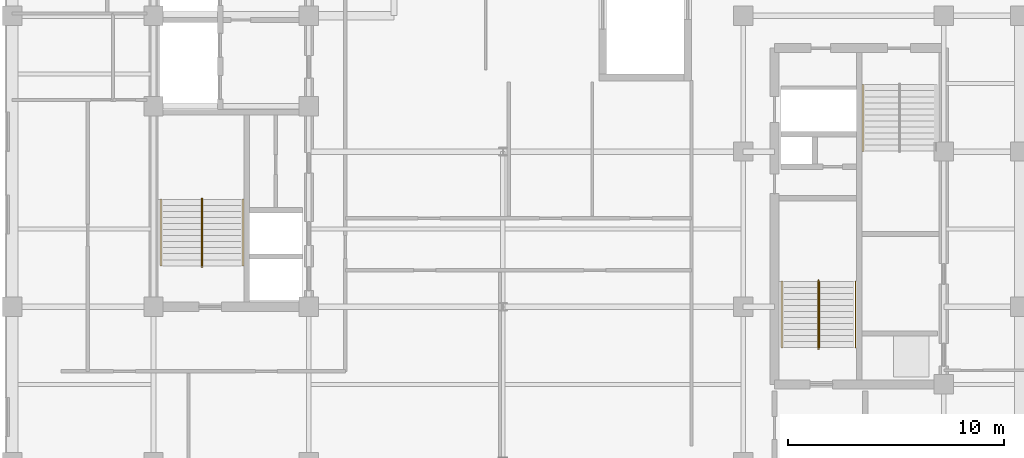
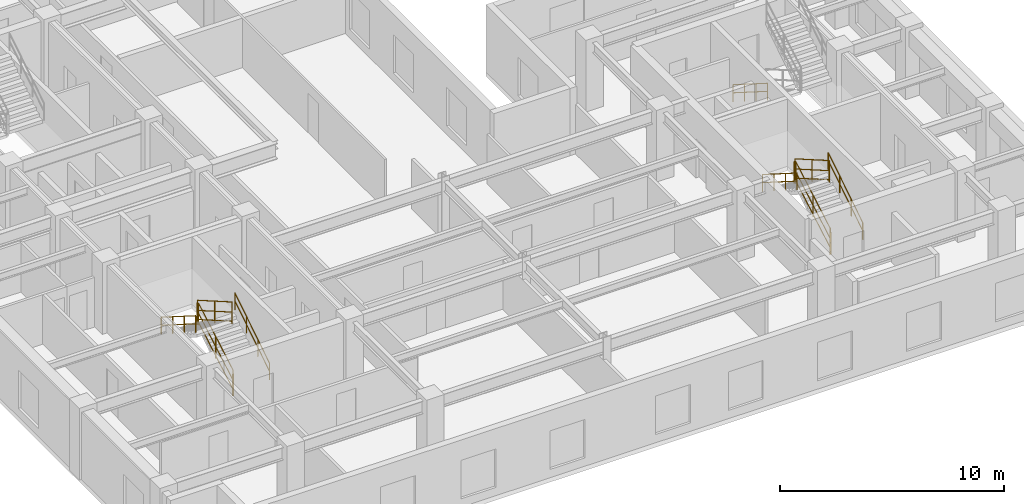
# One storey, part 8 of 11: 13 railings.
"""IFC4 building model written with IfcOpenShell, lengths in metres."""

import ifcopenshell
import ifcopenshell.guid

model = None  # the IFC model being written
_history = None  # IfcOwnerHistory: only IFC2X3 demands one
_inside = {}  # id of a spatial element -> (the spatial element, [elements in it])
_under = {}  # id of a project, library or spatial element -> (it, [spatial elements below it])
_declared = {}  # id of a project -> (the project, [libraries it declares])
_typed = {}  # id of a type object -> (the type object, [elements of that type])
_made_of = {}  # id of a material, layer set ... -> (it, [elements and type objects made of it])


def new_model(schema):
    """Start an empty IFC model of exactly this schema.

    Asked for "IFC4X3", IfcOpenShell would pick the latest addendum, in which some entities
    have other attributes; the version numbers below select the first issue.
    IFC2X3 requires an IfcOwnerHistory on every rooted entity: one is made here for all.
    """
    global model, _history
    if schema == "IFC4X3":
        model = ifcopenshell.file(schema_version=(4, 3, 0, 0))
    else:
        model = ifcopenshell.file(schema=schema)
    _inside.clear()
    _under.clear()
    _declared.clear()
    _typed.clear()
    _made_of.clear()
    _history = None
    if model.schema == "IFC2X3":
        org = make("IfcOrganization", Name="unknown")
        user = make(
            "IfcPersonAndOrganization",
            ThePerson=make("IfcPerson", FamilyName="unknown"),
            TheOrganization=org,
        )
        app = make(
            "IfcApplication",
            ApplicationDeveloper=org,
            Version="unknown",
            ApplicationFullName="unknown",
            ApplicationIdentifier="unknown",
        )
        _history = make(
            "IfcOwnerHistory",
            OwningUser=user,
            OwningApplication=app,
            ChangeAction="ADDED",
            CreationDate=0,
        )
    return model


def make(cls, **values):
    """One entity of the class cls with the attributes given. An attribute that is None is left unset."""
    return model.create_entity(
        cls, **{name: value for name, value in values.items() if value is not None}
    )


def entity(cls, *values):
    """Any entity or typed value of the class cls, its attributes in the order of the schema. None: left unset."""
    e = model.create_entity(cls)
    for i, value in enumerate(values):
        if value is not None:
            e[i] = value
    return e


def rooted(cls, **values):
    """An entity with a GlobalId (a new one), such as an element, a storey or a relation."""
    return make(cls, GlobalId=ifcopenshell.guid.new(), OwnerHistory=_history, **values)


def si_unit(unit_type, name, prefix=None):
    """IfcSIUnit, for example si_unit("LENGTHUNIT", "METRE", prefix="MILLI")."""
    return make("IfcSIUnit", UnitType=unit_type, Prefix=prefix, Name=name)


def converted_unit(unit_type, name, factor, base, dimensions=None, offset=None):
    """IfcConversionBasedUnit, such as the inch: factor (a typed value) times the base unit."""
    return make(
        "IfcConversionBasedUnit"
        if offset is None
        else "IfcConversionBasedUnitWithOffset",
        ConversionOffset=offset,
        Dimensions=None
        if dimensions is None
        else entity("IfcDimensionalExponents", *dimensions),
        UnitType=unit_type,
        Name=name,
        ConversionFactor=make(
            "IfcMeasureWithUnit", ValueComponent=factor, UnitComponent=base
        ),
    )


def assignment(units):
    """IfcUnitAssignment: the units of a project."""
    return None if units is None else make("IfcUnitAssignment", Units=units)


def point(xyz):
    """IfcCartesianPoint."""
    return None if xyz is None else make("IfcCartesianPoint", Coordinates=xyz)


def direction(xyz):
    """IfcDirection."""
    return None if xyz is None else make("IfcDirection", DirectionRatios=xyz)


def frame(location, z_axis=None, x_axis=None):
    """IfcAxis2Placement3D, a coordinate frame: its origin and axes. An axis left out is left unset."""
    return make(
        "IfcAxis2Placement3D",
        Location=point(location),
        Axis=direction(z_axis),
        RefDirection=direction(x_axis),
    )


def frame_2d(location, x_axis=None):
    """IfcAxis2Placement2D, a coordinate frame in the plane: its origin and x axis."""
    return make(
        "IfcAxis2Placement2D", Location=point(location), RefDirection=direction(x_axis)
    )


def origin_with_axes():
    """The frame at (0, 0, 0) with the z axis (0, 0, 1) and the x axis (1, 0, 0) written out."""
    return frame((0.0, 0.0, 0.0), z_axis=(0.0, 0.0, 1.0), x_axis=(1.0, 0.0, 0.0))


def origin_2d_with_axis():
    """The frame at (0, 0) in the plane with the x axis (1, 0) written out."""
    return frame_2d((0.0, 0.0), x_axis=(1.0, 0.0))


def place(relative_to, where):
    """IfcLocalPlacement: puts the frame where relative to a parent placement (None: the world)."""
    return make(
        "IfcLocalPlacement", PlacementRelTo=relative_to, RelativePlacement=where
    )


def context(
    kind, dimensions, precision=None, world=None, true_north=None, identifier=None
):
    """IfcGeometricRepresentationContext, for example the 3D "Model" context."""
    return make(
        "IfcGeometricRepresentationContext",
        ContextIdentifier=identifier,
        ContextType=kind,
        CoordinateSpaceDimension=dimensions,
        Precision=precision,
        WorldCoordinateSystem=world,
        TrueNorth=true_north,
    )


def subcontext(parent, identifier, kind, view, scale=None):
    """IfcGeometricRepresentationSubContext, for example "Body" below "Model"."""
    return make(
        "IfcGeometricRepresentationSubContext",
        ContextIdentifier=identifier,
        ContextType=kind,
        ParentContext=parent,
        TargetScale=scale,
        TargetView=view,
    )


def project(units=None, contexts=None):
    """IfcProject with its units and contexts."""
    return rooted(
        "IfcProject",
        Name="project",
        RepresentationContexts=contexts,
        UnitsInContext=assignment(units),
    )


def spatial(cls, under=None, at=None, **own):
    """A site, building, storey or space (cls), placed at a placement, below another one or the project."""
    s = rooted(cls, ObjectPlacement=at, **own)
    if under is not None:
        _under.setdefault(under.id(), (under, []))[1].append(s)
    return s


def profile(cls, at=None, kind="AREA", **sizes):
    """A parametric profile (cls). Its sizes go by their IFC names, for example OverallWidth=200.0."""
    return make(cls, ProfileType=kind, Position=at, **sizes)


def rectangle(**sizes):
    """IfcRectangleProfileDef."""
    return profile("IfcRectangleProfileDef", **sizes)


def circle(**sizes):
    """IfcCircleProfileDef."""
    return profile("IfcCircleProfileDef", **sizes)


def extrude(swept, where, along, depth):
    """IfcExtrudedAreaSolid: the profile swept, set in the frame where, extruded along a direction by depth."""
    return make(
        "IfcExtrudedAreaSolid",
        SweptArea=swept,
        Position=where,
        ExtrudedDirection=direction(along),
        Depth=depth,
    )


def shape(context_of_items, identifier, shape_type, items):
    """IfcShapeRepresentation: the items that make up one representation, for example the "Body"."""
    return make(
        "IfcShapeRepresentation",
        ContextOfItems=context_of_items,
        RepresentationIdentifier=identifier,
        RepresentationType=shape_type,
        Items=items,
    )


def material(Name=None, Category=None):
    """IfcMaterial."""
    return make("IfcMaterial", Name=Name, Category=Category)


def made_of(thing, what):
    """Note that an element or type object is made of a material, layer set ...; save() writes the relation."""
    if what is not None:
        _made_of.setdefault(what.id(), (what, []))[1].append(thing)
    return thing


def type_object(cls, material=None, **own):
    """A type object (cls), such as IfcWallType, which elements share."""
    return made_of(rooted(cls, **own), material)


def element(
    cls,
    number,
    at=None,
    inside=None,
    cuts=None,
    type_object=None,
    material=None,
    context=None,
    identifier="Body",
    shape_type=None,
    held_by="IfcProductDefinitionShape",
    body=None,
    shapes=None,
    **own,
):
    """One element of the class cls, such as IfcWall. Its Tag is "e" and its number.

    at: its placement. inside: the storey or other place that contains it. cuts: it is an
    opening in that element (IfcRelVoidsElement). A single representation is given by context,
    identifier, shape_type and body (its items); several are given by shapes. held_by: the class
    of the entity that holds the representations. save() writes the other relations.
    """
    e = rooted(cls, Tag="e%d" % number, ObjectPlacement=at, **own)
    if body is not None:
        shapes = [shape(context, identifier, shape_type, body)]
    if shapes is not None:
        e.Representation = make(held_by, Representations=shapes)
    if inside is not None:
        _inside.setdefault(inside.id(), (inside, []))[1].append(e)
    if cuts is not None:
        rooted(
            "IfcRelVoidsElement", RelatingBuildingElement=cuts, RelatedOpeningElement=e
        )
    if type_object is not None:
        _typed.setdefault(type_object.id(), (type_object, []))[1].append(e)
    return made_of(e, material)


def aggregate(whole, parts):
    """IfcRelAggregates: a whole, such as a stair, and the parts it consists of."""
    return rooted("IfcRelAggregates", RelatingObject=whole, RelatedObjects=parts)


def save(model, path):
    """Write the relations noted so far, then the file.

    IfcRelAggregates (storeys below a building ...), IfcRelContainedInSpatialStructure (elements
    in a storey), IfcRelDefinesByType, IfcRelAssociatesMaterial and IfcRelDeclares: one each for
    every whole, place, type object, material and project.
    """
    for whole, parts in _under.values():
        aggregate(whole, parts)
    for where, things in _inside.values():
        rooted(
            "IfcRelContainedInSpatialStructure",
            RelatedElements=things,
            RelatingStructure=where,
        )
    for kind, things in _typed.values():
        rooted("IfcRelDefinesByType", RelatedObjects=things, RelatingType=kind)
    for what, things in _made_of.values():
        rooted("IfcRelAssociatesMaterial", RelatedObjects=things, RelatingMaterial=what)
    for by, libraries in _declared.values():
        rooted("IfcRelDeclares", RelatingContext=by, RelatedDefinitions=libraries)
    model.write(path)


model = new_model("IFC4")

# Units and contexts
model_context = context("Model", 3, precision=1e-05, world=origin_with_axes(), true_north=direction((0.0, 1.0)))
body_context = subcontext(model_context, "Body", "Model", "MODEL_VIEW")
ifc_project = project(units=[si_unit("LENGTHUNIT", "METRE"), si_unit("AREAUNIT", "SQUARE_METRE"), si_unit("VOLUMEUNIT", "CUBIC_METRE"), converted_unit("PLANEANGLEUNIT", "DEGREE", entity("IfcPlaneAngleMeasure", 0.017453292519943295), si_unit("PLANEANGLEUNIT", "RADIAN"), dimensions=[0, 0, 0, 0, 0, 0, 0]), si_unit("MASSUNIT", "GRAM", prefix="KILO"), si_unit("THERMODYNAMICTEMPERATUREUNIT", "KELVIN")], contexts=[model_context])

# Site, building, storey
site_placement = place(None, origin_with_axes())
site = spatial("IfcSite", under=ifc_project, at=site_placement, CompositionType="ELEMENT")
building_placement = place(site_placement, origin_with_axes())
building = spatial("IfcBuilding", under=site, at=building_placement, Name="Varnlund Millrace Tower", CompositionType="ELEMENT")
storey_placement = place(building_placement, frame((0.0, 0.0, 224.7), z_axis=(0.0, 0.0, 1.0), x_axis=(1.0, 0.0, 0.0)))
storey = spatial("IfcBuildingStorey", under=building, at=storey_placement, Name="L55", CompositionType="ELEMENT", Elevation=224.7)

# Railings
ifc_material_1 = material(Name="Painted steel stair well balustrade guard", Category="steel")
railing_type_1 = type_object("IfcRailingType", Name="Type-StairGuard-1150", PredefinedType="GUARDRAIL", material=ifc_material_1)
railing_1_placement = place(storey_placement, frame((0.0, 0.0, -224.7), z_axis=(0.0, 0.0, 1.0), x_axis=(1.0, 0.0, 0.0)))
element("IfcRailing", 1, at=railing_1_placement, inside=storey, type_object=railing_type_1, Name="Type-StairGuard-1150", PredefinedType="GUARDRAIL", context=body_context, shape_type="SweptSolid", body=[
    extrude(circle(Radius=0.024, at=origin_2d_with_axis()), frame((13.675, 12.7, 226.027273), z_axis=(0.0, 0.866696, 0.498836), x_axis=(-1.0, 0.0, 0.0)), (0.0, 0.0, 1.0), 3.553725),
    extrude(circle(Radius=0.024, at=origin_2d_with_axis()), frame((13.675, 12.7, 224.977273), z_axis=(0.0, 0.866696, 0.498836), x_axis=(-1.0, 0.0, 0.0)), (0.0, 0.0, 1.0), 3.553725),
    extrude(circle(Radius=0.024, at=origin_2d_with_axis()), frame((13.675, 12.7, 225.475273), z_axis=(0.0, 0.866696, 0.498836), x_axis=(-1.0, 0.0, 0.0)), (0.0, 0.0, 1.0), 3.553725),
    extrude(rectangle(XDim=0.04, YDim=0.04, at=origin_2d_with_axis()), frame((13.675, 12.7, 224.837273), z_axis=(0.0, 0.0, 1.0), x_axis=(1.0, 0.0, 0.0)), (0.0, 0.0, 1.0), 1.19),
    extrude(rectangle(XDim=0.04, YDim=0.04, at=origin_2d_with_axis()), frame((13.675, 14.24, 225.723637), z_axis=(0.0, 0.0, 1.0), x_axis=(1.0, 0.0, 0.0)), (0.0, 0.0, 1.0), 1.19),
    extrude(rectangle(XDim=0.04, YDim=0.04, at=origin_2d_with_axis()), frame((13.675, 15.78, 226.61), z_axis=(0.0, 0.0, 1.0), x_axis=(1.0, 0.0, 0.0)), (0.0, 0.0, 1.0), 1.19),
])
railing_2_placement = place(storey_placement, frame((0.0, 0.0, -224.7), z_axis=(0.0, 0.0, 1.0), x_axis=(1.0, 0.0, 0.0)))
element("IfcRailing", 2, at=railing_2_placement, inside=storey, type_object=railing_type_1, Name="Type-StairGuard-1150", PredefinedType="GUARDRAIL", context=body_context, shape_type="SweptSolid", body=[
    extrude(circle(Radius=0.024, at=origin_2d_with_axis()), frame((13.625, 15.83, 227.8), z_axis=(1.0, 0.0, 0.0), x_axis=(0.0, 1.0, 0.0)), (0.0, 0.0, 1.0), 0.05),
    extrude(circle(Radius=0.024, at=origin_2d_with_axis()), frame((13.625, 15.83, 226.75), z_axis=(1.0, 0.0, 0.0), x_axis=(0.0, 1.0, 0.0)), (0.0, 0.0, 1.0), 0.05),
    extrude(circle(Radius=0.024, at=origin_2d_with_axis()), frame((13.625, 15.83, 227.248), z_axis=(1.0, 0.0, 0.0), x_axis=(0.0, 1.0, 0.0)), (0.0, 0.0, 1.0), 0.05),
    extrude(rectangle(XDim=0.04, YDim=0.04, at=origin_2d_with_axis()), frame((13.625, 15.83, 226.61), z_axis=(0.0, 0.0, 1.0), x_axis=(1.0, 0.0, 0.0)), (0.0, 0.0, 1.0), 1.19),
    extrude(rectangle(XDim=0.04, YDim=0.04, at=origin_2d_with_axis()), frame((13.675, 15.83, 226.61), z_axis=(0.0, 0.0, 1.0), x_axis=(1.0, 0.0, 0.0)), (0.0, 0.0, 1.0), 1.19),
])
railing_3_placement = place(storey_placement, frame((0.0, 0.0, -224.7), z_axis=(0.0, 0.0, 1.0), x_axis=(1.0, 0.0, 0.0)))
element("IfcRailing", 3, at=railing_3_placement, inside=storey, type_object=railing_type_1, Name="Type-StairGuard-1150", PredefinedType="GUARDRAIL", context=body_context, shape_type="SweptSolid", body=[
    extrude(circle(Radius=0.024, at=origin_2d_with_axis()), frame((13.625, 15.78, 227.977273), z_axis=(0.0, -0.866696, 0.498836), x_axis=(1.0, 0.0, 0.0)), (0.0, 0.0, 1.0), 3.553725),
    extrude(circle(Radius=0.024, at=origin_2d_with_axis()), frame((13.625, 15.78, 226.927273), z_axis=(0.0, -0.866696, 0.498836), x_axis=(1.0, 0.0, 0.0)), (0.0, 0.0, 1.0), 3.553725),
    extrude(circle(Radius=0.024, at=origin_2d_with_axis()), frame((13.625, 15.78, 227.425273), z_axis=(0.0, -0.866696, 0.498836), x_axis=(1.0, 0.0, 0.0)), (0.0, 0.0, 1.0), 3.553725),
    extrude(rectangle(XDim=0.04, YDim=0.04, at=origin_2d_with_axis()), frame((13.625, 15.78, 226.787273), z_axis=(0.0, 0.0, 1.0), x_axis=(1.0, 0.0, 0.0)), (0.0, 0.0, 1.0), 1.19),
    extrude(rectangle(XDim=0.04, YDim=0.04, at=origin_2d_with_axis()), frame((13.625, 14.24, 227.673637), z_axis=(0.0, 0.0, 1.0), x_axis=(1.0, 0.0, 0.0)), (0.0, 0.0, 1.0), 1.19),
    extrude(rectangle(XDim=0.04, YDim=0.04, at=origin_2d_with_axis()), frame((13.625, 12.7, 228.56), z_axis=(0.0, 0.0, 1.0), x_axis=(1.0, 0.0, 0.0)), (0.0, 0.0, 1.0), 1.19),
])
railing_4_placement = place(storey_placement, frame((0.0, 0.0, -224.7), z_axis=(0.0, 0.0, 1.0), x_axis=(1.0, 0.0, 0.0)))
element("IfcRailing", 4, at=railing_4_placement, inside=storey, type_object=railing_type_1, Name="Type-StairGuard-1150", PredefinedType="GUARDRAIL", context=body_context, shape_type="SweptSolid", body=[
    extrude(circle(Radius=0.024, at=origin_2d_with_axis()), frame((13.625, 12.65, 225.85), z_axis=(1.0, 0.0, 0.0), x_axis=(0.0, 1.0, 0.0)), (0.0, 0.0, 1.0), 0.05),
    extrude(circle(Radius=0.024, at=origin_2d_with_axis()), frame((13.625, 12.65, 224.8), z_axis=(1.0, 0.0, 0.0), x_axis=(0.0, 1.0, 0.0)), (0.0, 0.0, 1.0), 0.05),
    extrude(circle(Radius=0.024, at=origin_2d_with_axis()), frame((13.625, 12.65, 225.298), z_axis=(1.0, 0.0, 0.0), x_axis=(0.0, 1.0, 0.0)), (0.0, 0.0, 1.0), 0.05),
    extrude(rectangle(XDim=0.04, YDim=0.04, at=origin_2d_with_axis()), frame((13.625, 12.65, 224.66), z_axis=(0.0, 0.0, 1.0), x_axis=(1.0, 0.0, 0.0)), (0.0, 0.0, 1.0), 1.19),
    extrude(rectangle(XDim=0.04, YDim=0.04, at=origin_2d_with_axis()), frame((13.675, 12.65, 224.66), z_axis=(0.0, 0.0, 1.0), x_axis=(1.0, 0.0, 0.0)), (0.0, 0.0, 1.0), 1.19),
])
railing_5_placement = place(storey_placement, frame((0.0, 0.0, -224.7), z_axis=(0.0, 0.0, 1.0), x_axis=(1.0, 0.0, 0.0)))
element("IfcRailing", 5, at=railing_5_placement, inside=storey, type_object=railing_type_1, Name="Type-StairGuard-1150", PredefinedType="GUARDRAIL", context=body_context, shape_type="SweptSolid", body=[
    extrude(circle(Radius=0.024, at=origin_2d_with_axis()), frame((42.275, 8.9, 226.027273), z_axis=(0.0, 0.866696, 0.498836), x_axis=(-1.0, 0.0, 0.0)), (0.0, 0.0, 1.0), 3.553725),
    extrude(circle(Radius=0.024, at=origin_2d_with_axis()), frame((42.275, 8.9, 224.977273), z_axis=(0.0, 0.866696, 0.498836), x_axis=(-1.0, 0.0, 0.0)), (0.0, 0.0, 1.0), 3.553725),
    extrude(circle(Radius=0.024, at=origin_2d_with_axis()), frame((42.275, 8.9, 225.475273), z_axis=(0.0, 0.866696, 0.498836), x_axis=(-1.0, 0.0, 0.0)), (0.0, 0.0, 1.0), 3.553725),
    extrude(rectangle(XDim=0.04, YDim=0.04, at=origin_2d_with_axis()), frame((42.275, 8.9, 224.837273), z_axis=(0.0, 0.0, 1.0), x_axis=(1.0, 0.0, 0.0)), (0.0, 0.0, 1.0), 1.19),
    extrude(rectangle(XDim=0.04, YDim=0.04, at=origin_2d_with_axis()), frame((42.275, 10.44, 225.723637), z_axis=(0.0, 0.0, 1.0), x_axis=(1.0, 0.0, 0.0)), (0.0, 0.0, 1.0), 1.19),
    extrude(rectangle(XDim=0.04, YDim=0.04, at=origin_2d_with_axis()), frame((42.275, 11.98, 226.61), z_axis=(0.0, 0.0, 1.0), x_axis=(1.0, 0.0, 0.0)), (0.0, 0.0, 1.0), 1.19),
])
railing_6_placement = place(storey_placement, frame((0.0, 0.0, -224.7), z_axis=(0.0, 0.0, 1.0), x_axis=(1.0, 0.0, 0.0)))
element("IfcRailing", 6, at=railing_6_placement, inside=storey, type_object=railing_type_1, Name="Type-StairGuard-1150", PredefinedType="GUARDRAIL", context=body_context, shape_type="SweptSolid", body=[
    extrude(circle(Radius=0.024, at=origin_2d_with_axis()), frame((42.225, 12.03, 227.8), z_axis=(1.0, 0.0, 0.0), x_axis=(0.0, 1.0, 0.0)), (0.0, 0.0, 1.0), 0.05),
    extrude(circle(Radius=0.024, at=origin_2d_with_axis()), frame((42.225, 12.03, 226.75), z_axis=(1.0, 0.0, 0.0), x_axis=(0.0, 1.0, 0.0)), (0.0, 0.0, 1.0), 0.05),
    extrude(circle(Radius=0.024, at=origin_2d_with_axis()), frame((42.225, 12.03, 227.248), z_axis=(1.0, 0.0, 0.0), x_axis=(0.0, 1.0, 0.0)), (0.0, 0.0, 1.0), 0.05),
    extrude(rectangle(XDim=0.04, YDim=0.04, at=origin_2d_with_axis()), frame((42.225, 12.03, 226.61), z_axis=(0.0, 0.0, 1.0), x_axis=(1.0, 0.0, 0.0)), (0.0, 0.0, 1.0), 1.19),
    extrude(rectangle(XDim=0.04, YDim=0.04, at=origin_2d_with_axis()), frame((42.275, 12.03, 226.61), z_axis=(0.0, 0.0, 1.0), x_axis=(1.0, 0.0, 0.0)), (0.0, 0.0, 1.0), 1.19),
])
railing_7_placement = place(storey_placement, frame((0.0, 0.0, -224.7), z_axis=(0.0, 0.0, 1.0), x_axis=(1.0, 0.0, 0.0)))
element("IfcRailing", 7, at=railing_7_placement, inside=storey, type_object=railing_type_1, Name="Type-StairGuard-1150", PredefinedType="GUARDRAIL", context=body_context, shape_type="SweptSolid", body=[
    extrude(circle(Radius=0.024, at=origin_2d_with_axis()), frame((42.225, 11.98, 227.977273), z_axis=(0.0, -0.866696, 0.498836), x_axis=(1.0, 0.0, 0.0)), (0.0, 0.0, 1.0), 3.553725),
    extrude(circle(Radius=0.024, at=origin_2d_with_axis()), frame((42.225, 11.98, 226.927273), z_axis=(0.0, -0.866696, 0.498836), x_axis=(1.0, 0.0, 0.0)), (0.0, 0.0, 1.0), 3.553725),
    extrude(circle(Radius=0.024, at=origin_2d_with_axis()), frame((42.225, 11.98, 227.425273), z_axis=(0.0, -0.866696, 0.498836), x_axis=(1.0, 0.0, 0.0)), (0.0, 0.0, 1.0), 3.553725),
    extrude(rectangle(XDim=0.04, YDim=0.04, at=origin_2d_with_axis()), frame((42.225, 11.98, 226.787273), z_axis=(0.0, 0.0, 1.0), x_axis=(1.0, 0.0, 0.0)), (0.0, 0.0, 1.0), 1.19),
    extrude(rectangle(XDim=0.04, YDim=0.04, at=origin_2d_with_axis()), frame((42.225, 10.44, 227.673637), z_axis=(0.0, 0.0, 1.0), x_axis=(1.0, 0.0, 0.0)), (0.0, 0.0, 1.0), 1.19),
    extrude(rectangle(XDim=0.04, YDim=0.04, at=origin_2d_with_axis()), frame((42.225, 8.9, 228.56), z_axis=(0.0, 0.0, 1.0), x_axis=(1.0, 0.0, 0.0)), (0.0, 0.0, 1.0), 1.19),
])
railing_8_placement = place(storey_placement, frame((0.0, 0.0, -224.7), z_axis=(0.0, 0.0, 1.0), x_axis=(1.0, 0.0, 0.0)))
element("IfcRailing", 8, at=railing_8_placement, inside=storey, type_object=railing_type_1, Name="Type-StairGuard-1150", PredefinedType="GUARDRAIL", context=body_context, shape_type="SweptSolid", body=[
    extrude(circle(Radius=0.024, at=origin_2d_with_axis()), frame((42.225, 8.85, 225.85), z_axis=(1.0, 0.0, 0.0), x_axis=(0.0, 1.0, 0.0)), (0.0, 0.0, 1.0), 0.05),
    extrude(circle(Radius=0.024, at=origin_2d_with_axis()), frame((42.225, 8.85, 224.8), z_axis=(1.0, 0.0, 0.0), x_axis=(0.0, 1.0, 0.0)), (0.0, 0.0, 1.0), 0.05),
    extrude(circle(Radius=0.024, at=origin_2d_with_axis()), frame((42.225, 8.85, 225.298), z_axis=(1.0, 0.0, 0.0), x_axis=(0.0, 1.0, 0.0)), (0.0, 0.0, 1.0), 0.05),
    extrude(rectangle(XDim=0.04, YDim=0.04, at=origin_2d_with_axis()), frame((42.225, 8.85, 224.66), z_axis=(0.0, 0.0, 1.0), x_axis=(1.0, 0.0, 0.0)), (0.0, 0.0, 1.0), 1.19),
    extrude(rectangle(XDim=0.04, YDim=0.04, at=origin_2d_with_axis()), frame((42.275, 8.85, 224.66), z_axis=(0.0, 0.0, 1.0), x_axis=(1.0, 0.0, 0.0)), (0.0, 0.0, 1.0), 1.19),
])
ifc_material_2 = material(Name="Brushed architectural bronze stair handrail", Category="aluminium")
railing_type_2 = type_object("IfcRailingType", Name="Type-StairHandrail-900", PredefinedType="HANDRAIL", material=ifc_material_2)
railing_9_placement = place(storey_placement, frame((0.0, 0.0, -224.7), z_axis=(0.0, 0.0, 1.0), x_axis=(1.0, 0.0, 0.0)))
element("IfcRailing", 9, at=railing_9_placement, inside=storey, type_object=railing_type_2, Name="Type-StairHandrail-900", PredefinedType="HANDRAIL", context=body_context, shape_type="SweptSolid", body=[
    extrude(circle(Radius=0.024, at=origin_2d_with_axis()), frame((15.55, 12.7, 225.756995), z_axis=(0.0, 0.844902, 0.534922), x_axis=(-1.0, 0.0, 0.0)), (0.0, 0.0, 1.0), 3.645394),
    extrude(circle(Radius=0.024, at=origin_2d_with_axis()), frame((15.55, 12.7, 225.317134), z_axis=(0.0, 0.844902, 0.534922), x_axis=(-1.0, 0.0, 0.0)), (0.0, 0.0, 1.0), 3.645394),
    extrude(rectangle(XDim=0.04, YDim=0.04, at=origin_2d_with_axis()), frame((15.55, 12.7, 224.837273), z_axis=(0.0, 0.0, 1.0), x_axis=(1.0, 0.0, 0.0)), (0.0, 0.0, 1.0), 0.919722),
    extrude(rectangle(XDim=0.04, YDim=0.04, at=origin_2d_with_axis()), frame((15.55, 13.726667, 225.487273), z_axis=(0.0, 0.0, 1.0), x_axis=(1.0, 0.0, 0.0)), (0.0, 0.0, 1.0), 0.919722),
    extrude(rectangle(XDim=0.04, YDim=0.04, at=origin_2d_with_axis()), frame((15.55, 14.753333, 226.137273), z_axis=(0.0, 0.0, 1.0), x_axis=(1.0, 0.0, 0.0)), (0.0, 0.0, 1.0), 0.919722),
    extrude(rectangle(XDim=0.04, YDim=0.04, at=origin_2d_with_axis()), frame((15.55, 15.78, 226.787273), z_axis=(0.0, 0.0, 1.0), x_axis=(1.0, 0.0, 0.0)), (0.0, 0.0, 1.0), 0.919722),
])
railing_10_placement = place(storey_placement, frame((0.0, 0.0, -224.7), z_axis=(0.0, 0.0, 1.0), x_axis=(1.0, 0.0, 0.0)))
element("IfcRailing", 10, at=railing_10_placement, inside=storey, type_object=railing_type_2, Name="Type-StairHandrail-900", PredefinedType="HANDRAIL", context=body_context, shape_type="SweptSolid", body=[
    extrude(circle(Radius=0.024, at=origin_2d_with_axis()), frame((11.75, 15.78, 227.706995), z_axis=(0.0, -0.844902, 0.534922), x_axis=(1.0, 0.0, 0.0)), (0.0, 0.0, 1.0), 3.645394),
    extrude(circle(Radius=0.024, at=origin_2d_with_axis()), frame((11.75, 15.78, 227.267134), z_axis=(0.0, -0.844902, 0.534922), x_axis=(1.0, 0.0, 0.0)), (0.0, 0.0, 1.0), 3.645394),
    extrude(rectangle(XDim=0.04, YDim=0.04, at=origin_2d_with_axis()), frame((11.75, 15.78, 226.787273), z_axis=(0.0, 0.0, 1.0), x_axis=(1.0, 0.0, 0.0)), (0.0, 0.0, 1.0), 0.919722),
    extrude(rectangle(XDim=0.04, YDim=0.04, at=origin_2d_with_axis()), frame((11.75, 14.753333, 227.437273), z_axis=(0.0, 0.0, 1.0), x_axis=(1.0, 0.0, 0.0)), (0.0, 0.0, 1.0), 0.919722),
    extrude(rectangle(XDim=0.04, YDim=0.04, at=origin_2d_with_axis()), frame((11.75, 13.726667, 228.087273), z_axis=(0.0, 0.0, 1.0), x_axis=(1.0, 0.0, 0.0)), (0.0, 0.0, 1.0), 0.919722),
    extrude(rectangle(XDim=0.04, YDim=0.04, at=origin_2d_with_axis()), frame((11.75, 12.7, 228.737273), z_axis=(0.0, 0.0, 1.0), x_axis=(1.0, 0.0, 0.0)), (0.0, 0.0, 1.0), 0.919722),
])
railing_11_placement = place(storey_placement, frame((0.0, 0.0, -224.7), z_axis=(0.0, 0.0, 1.0), x_axis=(1.0, 0.0, 0.0)))
element("IfcRailing", 11, at=railing_11_placement, inside=storey, type_object=railing_type_2, Name="Type-StairHandrail-900", PredefinedType="HANDRAIL", context=body_context, shape_type="SweptSolid", body=[
    extrude(circle(Radius=0.024, at=origin_2d_with_axis()), frame((43.95, 8.9, 225.756995), z_axis=(0.0, 0.844902, 0.534922), x_axis=(-1.0, 0.0, 0.0)), (0.0, 0.0, 1.0), 3.645394),
    extrude(circle(Radius=0.024, at=origin_2d_with_axis()), frame((43.95, 8.9, 225.317134), z_axis=(0.0, 0.844902, 0.534922), x_axis=(-1.0, 0.0, 0.0)), (0.0, 0.0, 1.0), 3.645394),
    extrude(rectangle(XDim=0.04, YDim=0.04, at=origin_2d_with_axis()), frame((43.95, 8.9, 224.837273), z_axis=(0.0, 0.0, 1.0), x_axis=(1.0, 0.0, 0.0)), (0.0, 0.0, 1.0), 0.919722),
    extrude(rectangle(XDim=0.04, YDim=0.04, at=origin_2d_with_axis()), frame((43.95, 9.926667, 225.487273), z_axis=(0.0, 0.0, 1.0), x_axis=(1.0, 0.0, 0.0)), (0.0, 0.0, 1.0), 0.919722),
    extrude(rectangle(XDim=0.04, YDim=0.04, at=origin_2d_with_axis()), frame((43.95, 10.953333, 226.137273), z_axis=(0.0, 0.0, 1.0), x_axis=(1.0, 0.0, 0.0)), (0.0, 0.0, 1.0), 0.919722),
    extrude(rectangle(XDim=0.04, YDim=0.04, at=origin_2d_with_axis()), frame((43.95, 11.98, 226.787273), z_axis=(0.0, 0.0, 1.0), x_axis=(1.0, 0.0, 0.0)), (0.0, 0.0, 1.0), 0.919722),
])
railing_12_placement = place(storey_placement, frame((0.0, 0.0, -224.7), z_axis=(0.0, 0.0, 1.0), x_axis=(1.0, 0.0, 0.0)))
element("IfcRailing", 12, at=railing_12_placement, inside=storey, type_object=railing_type_2, Name="Type-StairHandrail-900", PredefinedType="HANDRAIL", context=body_context, shape_type="SweptSolid", body=[
    extrude(circle(Radius=0.024, at=origin_2d_with_axis()), frame((40.55, 11.98, 227.706995), z_axis=(0.0, -0.844902, 0.534922), x_axis=(1.0, 0.0, 0.0)), (0.0, 0.0, 1.0), 3.645394),
    extrude(circle(Radius=0.024, at=origin_2d_with_axis()), frame((40.55, 11.98, 227.267134), z_axis=(0.0, -0.844902, 0.534922), x_axis=(1.0, 0.0, 0.0)), (0.0, 0.0, 1.0), 3.645394),
    extrude(rectangle(XDim=0.04, YDim=0.04, at=origin_2d_with_axis()), frame((40.55, 11.98, 226.787273), z_axis=(0.0, 0.0, 1.0), x_axis=(1.0, 0.0, 0.0)), (0.0, 0.0, 1.0), 0.919722),
    extrude(rectangle(XDim=0.04, YDim=0.04, at=origin_2d_with_axis()), frame((40.55, 10.953333, 227.437273), z_axis=(0.0, 0.0, 1.0), x_axis=(1.0, 0.0, 0.0)), (0.0, 0.0, 1.0), 0.919722),
    extrude(rectangle(XDim=0.04, YDim=0.04, at=origin_2d_with_axis()), frame((40.55, 9.926667, 228.087273), z_axis=(0.0, 0.0, 1.0), x_axis=(1.0, 0.0, 0.0)), (0.0, 0.0, 1.0), 0.919722),
    extrude(rectangle(XDim=0.04, YDim=0.04, at=origin_2d_with_axis()), frame((40.55, 8.9, 228.737273), z_axis=(0.0, 0.0, 1.0), x_axis=(1.0, 0.0, 0.0)), (0.0, 0.0, 1.0), 0.919722),
])
railing_13_placement = place(storey_placement, frame((0.0, 0.0, -224.7), z_axis=(0.0, 0.0, 1.0), x_axis=(1.0, 0.0, 0.0)))
element("IfcRailing", 13, at=railing_13_placement, inside=storey, type_object=railing_type_2, Name="Type-StairHandrail-900", PredefinedType="HANDRAIL", context=body_context, shape_type="SweptSolid", body=[
    extrude(circle(Radius=0.024, at=origin_2d_with_axis()), frame((44.3, 21.1, 225.756995), z_axis=(0.0, -0.844902, 0.534922), x_axis=(1.0, 0.0, 0.0)), (0.0, 0.0, 1.0), 3.645394),
    extrude(circle(Radius=0.024, at=origin_2d_with_axis()), frame((44.3, 21.1, 225.317134), z_axis=(0.0, -0.844902, 0.534922), x_axis=(1.0, 0.0, 0.0)), (0.0, 0.0, 1.0), 3.645394),
    extrude(rectangle(XDim=0.04, YDim=0.04, at=origin_2d_with_axis()), frame((44.3, 21.1, 224.837273), z_axis=(0.0, 0.0, 1.0), x_axis=(1.0, 0.0, 0.0)), (0.0, 0.0, 1.0), 0.919722),
    extrude(rectangle(XDim=0.04, YDim=0.04, at=origin_2d_with_axis()), frame((44.3, 20.073333, 225.487273), z_axis=(0.0, 0.0, 1.0), x_axis=(1.0, 0.0, 0.0)), (0.0, 0.0, 1.0), 0.919722),
    extrude(rectangle(XDim=0.04, YDim=0.04, at=origin_2d_with_axis()), frame((44.3, 19.046667, 226.137273), z_axis=(0.0, 0.0, 1.0), x_axis=(1.0, 0.0, 0.0)), (0.0, 0.0, 1.0), 0.919722),
    extrude(rectangle(XDim=0.04, YDim=0.04, at=origin_2d_with_axis()), frame((44.3, 18.02, 226.787273), z_axis=(0.0, 0.0, 1.0), x_axis=(1.0, 0.0, 0.0)), (0.0, 0.0, 1.0), 0.919722),
])

save(model, "model.ifc")
